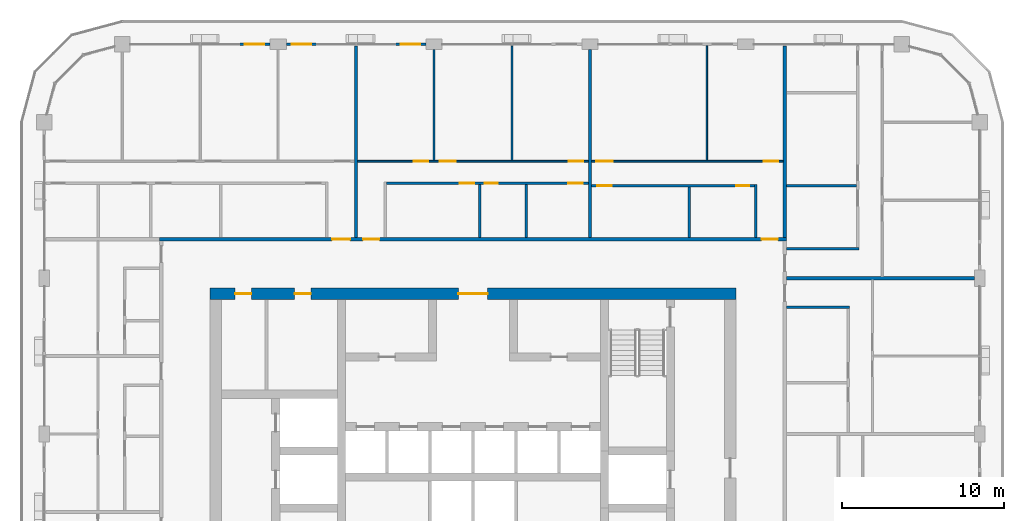
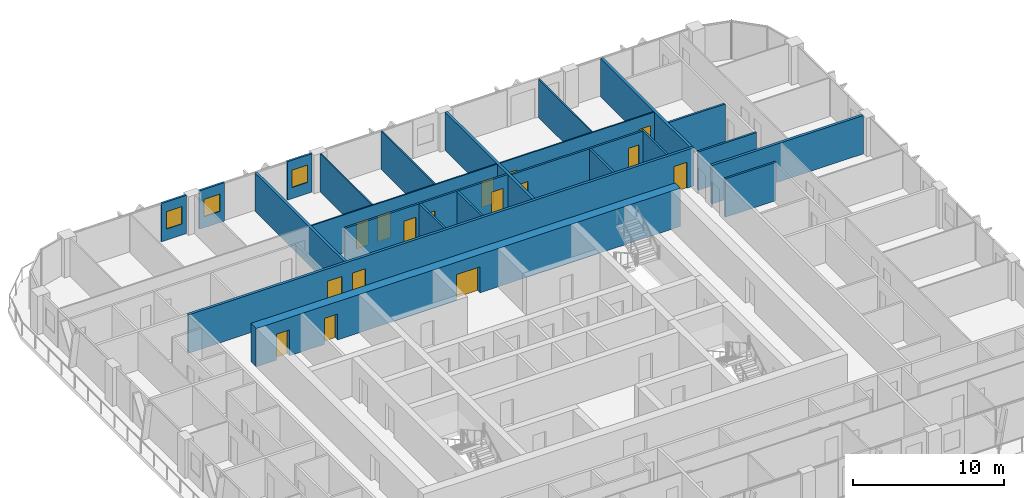
# One storey, part 14 of 22: 23 walls, 16 doors, 3 windows, 19 openings.
"""IFC4 building model written with IfcOpenShell, lengths in metres."""

from ifc_helpers import new_model, si_unit, direction, frame, frame_2d, origin, place, context, subcontext, project, spatial, rectangle, extrude, material, layer, layer_set, type_object, element, fill, save


model = new_model("IFC4")

# Units and contexts
model_context = context("Model", 3, precision=1e-05, world=origin(), true_north=direction((0.0, 1.0)))
body_context = subcontext(model_context, "Body", "Model", "MODEL_VIEW")
ifc_project = project(units=[si_unit("LENGTHUNIT", "METRE"), si_unit("AREAUNIT", "SQUARE_METRE"), si_unit("VOLUMEUNIT", "CUBIC_METRE"), si_unit("PLANEANGLEUNIT", "RADIAN"), si_unit("MASSUNIT", "GRAM", prefix="KILO")], contexts=[model_context])

# Site, building, storey
site_placement = place(None, origin())
site = spatial("IfcSite", under=ifc_project, at=site_placement, CompositionType="ELEMENT")
building_placement = place(site_placement, origin())
building = spatial("IfcBuilding", under=site, at=building_placement, Name="Madar Terraces", CompositionType="ELEMENT")
storey_placement = place(building_placement, frame((0.0, 0.0, 229.800048828125)))
storey = spatial("IfcBuildingStorey", under=building, at=storey_placement, Name="L60", CompositionType="ELEMENT", Elevation=229.800048828125)

# Wall, openings, doors
ifc_material_1 = material(Name="Concrete C60/75", Category="concrete")
ifc_layer_1 = layer(ifc_material_1, 0.699951171875)
ifc_layer_set_1 = layer_set([ifc_layer_1], Name="Concrete C60/75 (CRW4 RC wall 700)")
wall_type_1 = type_object("IfcWallType", Name="CRW4 RC wall 700", PredefinedType="SHEAR", material=ifc_layer_set_1)
wall_1_placement = place(storey_placement, frame((15.0, 37.449951171875, 0.0), z_axis=(0.0, 0.0, 1.0), x_axis=(1.0, 0.0, 0.0)))
wall_1 = element("IfcWall", 1, at=wall_1_placement, inside=storey, type_object=wall_type_1, Name="CORE OUTER WALL", PredefinedType="SHEAR", context=body_context, shape_type="SweptSolid", body=[
    extrude(rectangle(XDim=32.39990234375, YDim=0.699951171875, at=frame_2d((16.199951171875, 0.0))), origin(), (0.0, 0.0, 1.0), 3.099853515625),
])
opening_1_placement = place(wall_1_placement, frame((15.300048828125, 0.0, 0.0)))
opening_1 = element("IfcOpeningElement", 2, at=opening_1_placement, cuts=wall_1, Name="Opening KD1", PredefinedType="OPENING", context=body_context, shape_type="SweptSolid", body=[
    extrude(rectangle(XDim=1.800048828125, YDim=2.10009765625, at=frame_2d((0.89990234375, 1.050048828125))), frame((0.0, 0.35986328125, 0.0), z_axis=(0.0, -1.0, 0.0), x_axis=(1.0, 0.0, 0.0)), (0.0, 0.0, 1.0), 0.719970703125),
])
opening_2_placement = place(wall_1_placement, frame((1.544189453125, 0.0, 0.0)))
opening_2 = element("IfcOpeningElement", 3, at=opening_2_placement, cuts=wall_1, Name="Opening KD2", PredefinedType="OPENING", context=body_context, shape_type="SweptSolid", body=[
    extrude(rectangle(XDim=1.0, YDim=2.10009765625, at=frame_2d((0.5, 1.050048828125))), frame((0.0, 0.35986328125, 0.0), z_axis=(0.0, -1.0, 0.0), x_axis=(1.0, 0.0, 0.0)), (0.0, 0.0, 1.0), 0.719970703125),
])
opening_3_placement = place(wall_1_placement, frame((5.21923828125, 0.0, 0.0)))
opening_3 = element("IfcOpeningElement", 4, at=opening_3_placement, cuts=wall_1, Name="Opening KD2", PredefinedType="OPENING", context=body_context, shape_type="SweptSolid", body=[
    extrude(rectangle(XDim=1.0, YDim=2.10009765625, at=frame_2d((0.5, 1.050048828125))), frame((0.0, 0.35986328125, 0.0), z_axis=(0.0, -1.0, 0.0), x_axis=(1.0, 0.0, 0.0)), (0.0, 0.0, 1.0), 0.719970703125),
])
ifc_material_2 = material(Name="Steel door leaf", Category="steel")
door_type_1 = type_object("IfcDoorType", Name="Lobby door pair 1800 x 2100", OperationType="DOUBLE_DOOR_SINGLE_SWING", PredefinedType="DOOR", material=ifc_material_2)
door_1_placement = place(opening_1_placement, origin())
door_1 = element("IfcDoor", 5, at=door_1_placement, inside=storey, type_object=door_type_1, Name="LIFT LOBBY DOOR", OperationType="DOUBLE_DOOR_SINGLE_SWING", OverallHeight=2.10009765625, OverallWidth=1.800048828125, PredefinedType="DOOR", context=body_context, shape_type="SweptSolid", body=[
    extrude(rectangle(XDim=1.800048828125, YDim=2.10009765625, at=frame_2d((0.89990234375, 1.050048828125))), frame((0.0, 0.02490234375, 0.0), z_axis=(0.0, -1.0, 0.0), x_axis=(1.0, 0.0, 0.0)), (0.0, 0.0, 1.0), 0.050048828125),
])
fill(opening_1, door_1)
ifc_material_3 = material(Name="Steel door leaf", Category="steel")
door_type_2 = type_object("IfcDoorType", Name="Service room door 1000 x 2100", OperationType="NOTDEFINED", PredefinedType="DOOR", material=ifc_material_3)
door_2_placement = place(opening_2_placement, origin())
door_2 = element("IfcDoor", 6, at=door_2_placement, inside=storey, type_object=door_type_2, Name="SERVICE ROOM DOOR", OperationType="SINGLE_SWING_LEFT", OverallHeight=2.10009765625, OverallWidth=1.0, PredefinedType="DOOR", context=body_context, shape_type="SweptSolid", body=[
    extrude(rectangle(XDim=1.0, YDim=2.10009765625, at=frame_2d((0.5, 1.050048828125))), frame((0.0, 0.02490234375, 0.0), z_axis=(0.0, -1.0, 0.0), x_axis=(1.0, 0.0, 0.0)), (0.0, 0.0, 1.0), 0.050048828125),
])
fill(opening_2, door_2)
door_3_placement = place(opening_3_placement, origin())
door_3 = element("IfcDoor", 7, at=door_3_placement, inside=storey, type_object=door_type_2, Name="SERVICE ROOM DOOR", OperationType="SINGLE_SWING_RIGHT", OverallHeight=2.10009765625, OverallWidth=1.0, PredefinedType="DOOR", context=body_context, shape_type="SweptSolid", body=[
    extrude(rectangle(XDim=1.0, YDim=2.10009765625, at=frame_2d((0.5, 1.050048828125))), frame((0.0, 0.02490234375, 0.0), z_axis=(0.0, -1.0, 0.0), x_axis=(1.0, 0.0, 0.0)), (0.0, 0.0, 1.0), 0.050048828125),
])
fill(opening_3, door_3)

# Wall, opening, window
ifc_material_4 = material(Name="Aluminium composite panel, black, over insulated backing", Category="aluminium")
ifc_layer_2 = layer(ifc_material_4, 0.14990234375)
ifc_layer_set_2 = layer_set([ifc_layer_2], Name="Facade bay panel 150")
wall_type_2 = type_object("IfcWallType", Name="Facade bay panel 150", PredefinedType="SOLIDWALL", material=ifc_layer_set_2)
wall_2_placement = place(storey_placement, frame((28.300048828125, 52.800048828125, 0.0), z_axis=(0.0, 0.0, 1.0), x_axis=(-1.0, 0.0, 0.0)))
wall_2 = element("IfcWall", 8, at=wall_2_placement, inside=storey, type_object=wall_type_2, Name="Facade bay panel", PredefinedType="SOLIDWALL", context=body_context, shape_type="SweptSolid", body=[
    extrude(rectangle(XDim=1.900146484375, YDim=0.14990234375, at=frame_2d((0.9501953125, 0.0))), origin(), (0.0, 0.0, 1.0), 3.099853515625),
])
opening_4_placement = place(wall_2_placement, frame((0.35009765625, 0.0, 0.89990234375)))
opening_4 = element("IfcOpeningElement", 9, at=opening_4_placement, cuts=wall_2, Name="Opening W1", PredefinedType="OPENING", context=body_context, shape_type="SweptSolid", body=[
    extrude(rectangle(XDim=1.199951171875, YDim=1.39990234375, at=frame_2d((0.60009765625, 0.699951171875))), frame((0.0, 0.0849609375, 0.0), z_axis=(0.0, -1.0, 0.0), x_axis=(1.0, 0.0, 0.0)), (0.0, 0.0, 1.0), 0.169921875),
])
ifc_material_5 = material(Name="Glass, clear, with black aluminium frame", Category="aluminium")
window_type = type_object("IfcWindowType", Name="Vent window 1200 x 1400", PartitioningType="SINGLE_PANEL", PredefinedType="WINDOW", material=ifc_material_5)
window_1_placement = place(opening_4_placement, origin())
window_1 = element("IfcWindow", 10, at=window_1_placement, inside=storey, type_object=window_type, Name="Operable vent window", OverallHeight=1.39990234375, OverallWidth=1.199951171875, PartitioningType="SINGLE_PANEL", PredefinedType="WINDOW", context=body_context, shape_type="SweptSolid", body=[
    extrude(rectangle(XDim=1.199951171875, YDim=1.39990234375, at=frame_2d((0.60009765625, 0.699951171875))), frame((0.0, 0.030029296875, 0.0), z_axis=(0.0, -1.0, 0.0), x_axis=(1.0, 0.0, 0.0)), (0.0, 0.0, 1.0), 0.06005859375),
])
fill(opening_4, window_1)

wall_3_placement = place(storey_placement, frame((21.60009765625, 52.800048828125, 0.0), z_axis=(0.0, 0.0, 1.0), x_axis=(-1.0, 0.0, 0.0)))
wall_3 = element("IfcWall", 11, at=wall_3_placement, inside=storey, type_object=wall_type_2, Name="Facade bay panel", PredefinedType="SOLIDWALL", context=body_context, shape_type="SweptSolid", body=[
    extrude(rectangle(XDim=1.900146484375, YDim=0.14990234375, at=frame_2d((0.9501953125, 0.0))), origin(), (0.0, 0.0, 1.0), 3.099853515625),
])
opening_5_placement = place(wall_3_placement, frame((0.35009765625, 0.0, 0.89990234375)))
opening_5 = element("IfcOpeningElement", 12, at=opening_5_placement, cuts=wall_3, Name="Opening W1", PredefinedType="OPENING", context=body_context, shape_type="SweptSolid", body=[
    extrude(rectangle(XDim=1.199951171875, YDim=1.39990234375, at=frame_2d((0.60009765625, 0.699951171875))), frame((0.0, 0.0849609375, 0.0), z_axis=(0.0, -1.0, 0.0), x_axis=(1.0, 0.0, 0.0)), (0.0, 0.0, 1.0), 0.169921875),
])
window_2_placement = place(opening_5_placement, origin())
window_2 = element("IfcWindow", 13, at=window_2_placement, inside=storey, type_object=window_type, Name="Operable vent window", OverallHeight=1.39990234375, OverallWidth=1.199951171875, PartitioningType="SINGLE_PANEL", PredefinedType="WINDOW", context=body_context, shape_type="SweptSolid", body=[
    extrude(rectangle(XDim=1.199951171875, YDim=1.39990234375, at=frame_2d((0.60009765625, 0.699951171875))), frame((0.0, 0.030029296875, 0.0), z_axis=(0.0, -1.0, 0.0), x_axis=(1.0, 0.0, 0.0)), (0.0, 0.0, 1.0), 0.06005859375),
])
fill(opening_5, window_2)

wall_4_placement = place(storey_placement, frame((18.699951171875, 52.800048828125, 0.0), z_axis=(0.0, 0.0, 1.0), x_axis=(-1.0, 0.0, 0.0)))
wall_4 = element("IfcWall", 14, at=wall_4_placement, inside=storey, type_object=wall_type_2, Name="Facade bay panel", PredefinedType="SOLIDWALL", context=body_context, shape_type="SweptSolid", body=[
    extrude(rectangle(XDim=1.89990234375, YDim=0.14990234375, at=frame_2d((0.949951171875, 0.0))), origin(), (0.0, 0.0, 1.0), 3.099853515625),
])
opening_6_placement = place(wall_4_placement, frame((0.35009765625, 0.0, 0.89990234375)))
opening_6 = element("IfcOpeningElement", 15, at=opening_6_placement, cuts=wall_4, Name="Opening W1", PredefinedType="OPENING", context=body_context, shape_type="SweptSolid", body=[
    extrude(rectangle(XDim=1.199951171875, YDim=1.39990234375, at=frame_2d((0.60009765625, 0.699951171875))), frame((0.0, 0.0849609375, 0.0), z_axis=(0.0, -1.0, 0.0), x_axis=(1.0, 0.0, 0.0)), (0.0, 0.0, 1.0), 0.169921875),
])
window_3_placement = place(opening_6_placement, origin())
window_3 = element("IfcWindow", 16, at=window_3_placement, inside=storey, type_object=window_type, Name="Operable vent window", OverallHeight=1.39990234375, OverallWidth=1.199951171875, PartitioningType="SINGLE_PANEL", PredefinedType="WINDOW", context=body_context, shape_type="SweptSolid", body=[
    extrude(rectangle(XDim=1.199951171875, YDim=1.39990234375, at=frame_2d((0.60009765625, 0.699951171875))), frame((0.0, 0.030029296875, 0.0), z_axis=(0.0, -1.0, 0.0), x_axis=(1.0, 0.0, 0.0)), (0.0, 0.0, 1.0), 0.06005859375),
])
fill(opening_6, window_3)

# Wall
ifc_material_6 = material(Name="Gypsum board on steel studs", Category="steel")
ifc_layer_3 = layer(ifc_material_6, 0.10009765625)
ifc_layer_set_3 = layer_set([ifc_layer_3], Name="Flat partition 100")
wall_type_3 = type_object("IfcWallType", Name="Flat partition 100", PredefinedType="PARTITIONING", material=ifc_layer_set_3)
wall_5_placement = place(storey_placement, frame((45.60009765625, 45.64990234375, 0.0), z_axis=(0.0, 0.0, 1.0), x_axis=(0.0, 1.0, 0.0)))
element("IfcWall", 17, at=wall_5_placement, inside=storey, type_object=wall_type_3, Name="Flat partition 100", PredefinedType="PARTITIONING", context=body_context, shape_type="SweptSolid", body=[
    extrude(rectangle(XDim=7.050048828125, YDim=0.10009765625, at=frame_2d((3.52490234375, 0.0))), origin(), (0.0, 0.0, 1.0), 3.099853515625),
])

# Wall, openings, doors
wall_6_placement = place(storey_placement, frame((38.5, 45.60009765625, 0.0), z_axis=(0.0, 0.0, 1.0), x_axis=(1.0, 0.0, 0.0)))
wall_6 = element("IfcWall", 18, at=wall_6_placement, inside=storey, type_object=wall_type_3, Name="Flat partition 100", PredefinedType="PARTITIONING", context=body_context, shape_type="SweptSolid", body=[
    extrude(rectangle(XDim=11.800048828125, YDim=0.10009765625, at=frame_2d((5.89990234375, 0.0))), origin(), (0.0, 0.0, 1.0), 3.099853515625),
])
opening_7_placement = place(wall_6_placement, frame((10.60009765625, 0.0, 0.0)))
opening_7 = element("IfcOpeningElement", 19, at=opening_7_placement, cuts=wall_6, Name="Opening D2", PredefinedType="OPENING", context=body_context, shape_type="SweptSolid", body=[
    extrude(rectangle(XDim=0.89990234375, YDim=2.10009765625, at=frame_2d((0.449951171875, 1.050048828125))), frame((0.0, 0.06005859375, 0.0), z_axis=(0.0, -1.0, 0.0), x_axis=(1.0, 0.0, 0.0)), (0.0, 0.0, 1.0), 0.1201171875),
])
opening_8_placement = place(wall_6_placement, frame((0.300048828125, 0.0, 0.0)))
opening_8 = element("IfcOpeningElement", 20, at=opening_8_placement, cuts=wall_6, Name="Opening D3", PredefinedType="OPENING", context=body_context, shape_type="SweptSolid", body=[
    extrude(rectangle(XDim=1.0, YDim=2.10009765625, at=frame_2d((0.5, 1.050048828125))), frame((0.0, 0.06005859375, 0.0), z_axis=(0.0, -1.0, 0.0), x_axis=(1.0, 0.0, 0.0)), (0.0, 0.0, 1.0), 0.1201171875),
])
ifc_material_7 = material(Name="Timber door leaf", Category="wood")
door_type_3 = type_object("IfcDoorType", Name="Flat living room door 1000", OperationType="NOTDEFINED", PredefinedType="DOOR", material=ifc_material_7)
door_4_placement = place(opening_8_placement, origin())
door_4 = element("IfcDoor", 21, at=door_4_placement, inside=storey, type_object=door_type_3, Name="Flat living room door 1000", OperationType="SINGLE_SWING_LEFT", OverallHeight=2.10009765625, OverallWidth=1.0, PredefinedType="DOOR", context=body_context, shape_type="SweptSolid", body=[
    extrude(rectangle(XDim=1.0, YDim=2.10009765625, at=frame_2d((0.5, 1.050048828125))), frame((0.0, 0.02490234375, 0.0), z_axis=(0.0, -1.0, 0.0), x_axis=(1.0, 0.0, 0.0)), (0.0, 0.0, 1.0), 0.050048828125),
])
fill(opening_8, door_4)
ifc_material_8 = material(Name="Timber door leaf", Category="wood")
door_type_4 = type_object("IfcDoorType", Name="Flat room door 900", OperationType="NOTDEFINED", PredefinedType="DOOR", material=ifc_material_8)
door_5_placement = place(opening_7_placement, origin())
door_5 = element("IfcDoor", 22, at=door_5_placement, inside=storey, type_object=door_type_4, Name="Flat room door 900", OperationType="SINGLE_SWING_RIGHT", OverallHeight=2.10009765625, OverallWidth=0.89990234375, PredefinedType="DOOR", context=body_context, shape_type="SweptSolid", body=[
    extrude(rectangle(XDim=0.89990234375, YDim=2.10009765625, at=frame_2d((0.449951171875, 1.050048828125))), frame((0.0, 0.02490234375, 0.0), z_axis=(0.0, -1.0, 0.0), x_axis=(1.0, 0.0, 0.0)), (0.0, 0.0, 1.0), 0.050048828125),
])
fill(opening_7, door_5)

# Walls
wall_7_placement = place(storey_placement, frame((28.800048828125, 45.64990234375, 0.0), z_axis=(0.0, 0.0, 1.0), x_axis=(0.0, 1.0, 0.0)))
element("IfcWall", 23, at=wall_7_placement, inside=storey, type_object=wall_type_3, Name="Flat partition 100", PredefinedType="PARTITIONING", context=body_context, shape_type="SweptSolid", body=[
    extrude(rectangle(XDim=6.8251953125, YDim=0.10009765625, at=frame_2d((3.41259765625, 0.0))), origin(), (0.0, 0.0, 1.0), 3.099853515625),
])
wall_8_placement = place(storey_placement, frame((33.60009765625, 45.64990234375, 0.0), z_axis=(0.0, 0.0, 1.0), x_axis=(0.0, 1.0, 0.0)))
element("IfcWall", 24, at=wall_8_placement, inside=storey, type_object=wall_type_3, Name="Flat partition 100", PredefinedType="PARTITIONING", context=body_context, shape_type="SweptSolid", body=[
    extrude(rectangle(XDim=7.050048828125, YDim=0.10009765625, at=frame_2d((3.52490234375, 0.0))), origin(), (0.0, 0.0, 1.0), 3.099853515625),
])

# Wall, openings, doors
wall_9_placement = place(storey_placement, frame((24.10009765625, 45.60009765625, 0.0), z_axis=(0.0, 0.0, 1.0), x_axis=(1.0, 0.0, 0.0)))
wall_9 = element("IfcWall", 25, at=wall_9_placement, inside=storey, type_object=wall_type_3, Name="Flat partition 100", PredefinedType="PARTITIONING", context=body_context, shape_type="SweptSolid", body=[
    extrude(rectangle(XDim=14.199951171875, YDim=0.10009765625, at=frame_2d((7.10009765625, 0.0))), origin(), (0.0, 0.0, 1.0), 3.099853515625),
])
opening_9_placement = place(wall_9_placement, frame((3.449951171875, 0.0, 0.0)))
opening_9 = element("IfcOpeningElement", 26, at=opening_9_placement, cuts=wall_9, Name="Opening D2", PredefinedType="OPENING", context=body_context, shape_type="SweptSolid", body=[
    extrude(rectangle(XDim=0.89990234375, YDim=2.10009765625, at=frame_2d((0.449951171875, 1.050048828125))), frame((0.0, 0.06005859375, 0.0), z_axis=(0.0, -1.0, 0.0), x_axis=(1.0, 0.0, 0.0)), (0.0, 0.0, 1.0), 0.1201171875),
])
opening_10_placement = place(wall_9_placement, frame((5.050048828125, 0.0, 0.0)))
opening_10 = element("IfcOpeningElement", 27, at=opening_10_placement, cuts=wall_9, Name="Opening D3", PredefinedType="OPENING", context=body_context, shape_type="SweptSolid", body=[
    extrude(rectangle(XDim=1.0, YDim=2.10009765625, at=frame_2d((0.5, 1.050048828125))), frame((0.0, 0.06005859375, 0.0), z_axis=(0.0, -1.0, 0.0), x_axis=(1.0, 0.0, 0.0)), (0.0, 0.0, 1.0), 0.1201171875),
])
opening_11_placement = place(wall_9_placement, frame((13.0, 0.0, 0.0)))
opening_11 = element("IfcOpeningElement", 28, at=opening_11_placement, cuts=wall_9, Name="Opening D2", PredefinedType="OPENING", context=body_context, shape_type="SweptSolid", body=[
    extrude(rectangle(XDim=0.89990234375, YDim=2.10009765625, at=frame_2d((0.449951171875, 1.050048828125))), frame((0.0, 0.06005859375, 0.0), z_axis=(0.0, -1.0, 0.0), x_axis=(1.0, 0.0, 0.0)), (0.0, 0.0, 1.0), 0.1201171875),
])
door_6_placement = place(opening_10_placement, origin())
door_6 = element("IfcDoor", 29, at=door_6_placement, inside=storey, type_object=door_type_3, Name="Flat living room door 1000", OperationType="SINGLE_SWING_LEFT", OverallHeight=2.10009765625, OverallWidth=1.0, PredefinedType="DOOR", context=body_context, shape_type="SweptSolid", body=[
    extrude(rectangle(XDim=1.0, YDim=2.10009765625, at=frame_2d((0.5, 1.050048828125))), frame((0.0, 0.02490234375, 0.0), z_axis=(0.0, -1.0, 0.0), x_axis=(1.0, 0.0, 0.0)), (0.0, 0.0, 1.0), 0.050048828125),
])
fill(opening_10, door_6)
door_7_placement = place(opening_9_placement, origin())
door_7 = element("IfcDoor", 30, at=door_7_placement, inside=storey, type_object=door_type_4, Name="Flat room door 900", OperationType="SINGLE_SWING_RIGHT", OverallHeight=2.10009765625, OverallWidth=0.89990234375, PredefinedType="DOOR", context=body_context, shape_type="SweptSolid", body=[
    extrude(rectangle(XDim=0.89990234375, YDim=2.10009765625, at=frame_2d((0.449951171875, 1.050048828125))), frame((0.0, 0.02490234375, 0.0), z_axis=(0.0, -1.0, 0.0), x_axis=(1.0, 0.0, 0.0)), (0.0, 0.0, 1.0), 0.050048828125),
])
fill(opening_9, door_7)
door_8_placement = place(opening_11_placement, origin())
door_8 = element("IfcDoor", 31, at=door_8_placement, inside=storey, type_object=door_type_4, Name="Flat room door 900", OperationType="SINGLE_SWING_RIGHT", OverallHeight=2.10009765625, OverallWidth=0.89990234375, PredefinedType="DOOR", context=body_context, shape_type="SweptSolid", body=[
    extrude(rectangle(XDim=0.89990234375, YDim=2.10009765625, at=frame_2d((0.449951171875, 1.050048828125))), frame((0.0, 0.02490234375, 0.0), z_axis=(0.0, -1.0, 0.0), x_axis=(1.0, 0.0, 0.0)), (0.0, 0.0, 1.0), 0.050048828125),
])
fill(opening_11, door_8)

ifc_material_9 = material(Name="Lightweight blockwork", Category="masonry")
ifc_layer_4 = layer(ifc_material_9, 0.199951171875)
ifc_layer_set_4 = layer_set([ifc_layer_4], Name="Flat party and entrance wall 200")
wall_type_4 = type_object("IfcWallType", Name="Flat party and entrance wall 200", PredefinedType="PARTITIONING", material=ifc_layer_set_4)
wall_10_placement = place(storey_placement, frame((11.89990234375, 40.800048828125, 0.0), z_axis=(0.0, 0.0, 1.0), x_axis=(1.0, 0.0, 0.0)))
wall_10 = element("IfcWall", 32, at=wall_10_placement, inside=storey, type_object=wall_type_4, Name="Flat party and entrance wall 200", PredefinedType="PARTITIONING", context=body_context, shape_type="SweptSolid", body=[
    extrude(rectangle(XDim=38.60009765625, YDim=0.199951171875, at=frame_2d((19.300048828125, 0.0))), origin(), (0.0, 0.0, 1.0), 3.099853515625),
])
opening_12_placement = place(wall_10_placement, frame((37.074951171875, 0.0, 0.0)))
opening_12 = element("IfcOpeningElement", 33, at=opening_12_placement, cuts=wall_10, Name="Opening D1", PredefinedType="OPENING", context=body_context, shape_type="SweptSolid", body=[
    extrude(rectangle(XDim=1.0, YDim=2.10009765625, at=frame_2d((0.5, 1.050048828125))), frame((0.0, 0.10986328125, 0.0), z_axis=(0.0, -1.0, 0.0), x_axis=(1.0, 0.0, 0.0)), (0.0, 0.0, 1.0), 0.219970703125),
])
opening_13_placement = place(wall_10_placement, frame((12.52490234375, 0.0, 0.0)))
opening_13 = element("IfcOpeningElement", 34, at=opening_13_placement, cuts=wall_10, Name="Opening D1", PredefinedType="OPENING", context=body_context, shape_type="SweptSolid", body=[
    extrude(rectangle(XDim=1.0, YDim=2.10009765625, at=frame_2d((0.5, 1.050048828125))), frame((0.0, 0.10986328125, 0.0), z_axis=(0.0, -1.0, 0.0), x_axis=(1.0, 0.0, 0.0)), (0.0, 0.0, 1.0), 0.219970703125),
])
opening_14_placement = place(wall_10_placement, frame((10.625, 0.0, 0.0)))
opening_14 = element("IfcOpeningElement", 35, at=opening_14_placement, cuts=wall_10, Name="Opening D6", PredefinedType="OPENING", context=body_context, shape_type="SweptSolid", body=[
    extrude(rectangle(XDim=1.10009765625, YDim=2.10009765625, at=frame_2d((0.550048828125, 1.050048828125))), frame((0.0, 0.10986328125, 0.0), z_axis=(0.0, -1.0, 0.0), x_axis=(1.0, 0.0, 0.0)), (0.0, 0.0, 1.0), 0.219970703125),
])
ifc_material_10 = material(Name="Timber fire door leaf", Category="wood")
door_type_5 = type_object("IfcDoorType", Name="Flat entrance door 1000 FD30S", OperationType="NOTDEFINED", PredefinedType="DOOR", material=ifc_material_10)
door_9_placement = place(opening_12_placement, origin())
door_9 = element("IfcDoor", 36, at=door_9_placement, inside=storey, type_object=door_type_5, Name="Flat entrance door 1000 FD30S", OperationType="SINGLE_SWING_RIGHT", OverallHeight=2.10009765625, OverallWidth=1.0, PredefinedType="DOOR", context=body_context, shape_type="SweptSolid", body=[
    extrude(rectangle(XDim=1.0, YDim=2.10009765625, at=frame_2d((0.5, 1.050048828125))), frame((0.0, 0.02490234375, 0.0), z_axis=(0.0, -1.0, 0.0), x_axis=(1.0, 0.0, 0.0)), (0.0, 0.0, 1.0), 0.050048828125),
])
fill(opening_12, door_9)
door_10_placement = place(opening_13_placement, origin())
door_10 = element("IfcDoor", 37, at=door_10_placement, inside=storey, type_object=door_type_5, Name="Flat entrance door 1000 FD30S", OperationType="SINGLE_SWING_LEFT", OverallHeight=2.10009765625, OverallWidth=1.0, PredefinedType="DOOR", context=body_context, shape_type="SweptSolid", body=[
    extrude(rectangle(XDim=1.0, YDim=2.10009765625, at=frame_2d((0.5, 1.050048828125))), frame((0.0, 0.02490234375, 0.0), z_axis=(0.0, -1.0, 0.0), x_axis=(1.0, 0.0, 0.0)), (0.0, 0.0, 1.0), 0.050048828125),
])
fill(opening_13, door_10)
ifc_material_11 = material(Name="Timber fire door leaf", Category="wood")
door_type_6 = type_object("IfcDoorType", Name="Flat entrance door 1100 FD30S", OperationType="NOTDEFINED", PredefinedType="DOOR", material=ifc_material_11)
door_11_placement = place(opening_14_placement, origin())
door_11 = element("IfcDoor", 38, at=door_11_placement, inside=storey, type_object=door_type_6, Name="Flat entrance door 1100 FD30S", OperationType="SINGLE_SWING_RIGHT", OverallHeight=2.10009765625, OverallWidth=1.10009765625, PredefinedType="DOOR", context=body_context, shape_type="SweptSolid", body=[
    extrude(rectangle(XDim=1.10009765625, YDim=2.10009765625, at=frame_2d((0.550048828125, 1.050048828125))), frame((0.0, 0.02490234375, 0.0), z_axis=(0.0, -1.0, 0.0), x_axis=(1.0, 0.0, 0.0)), (0.0, 0.0, 1.0), 0.050048828125),
])
fill(opening_14, door_11)

# Walls
wall_11_placement = place(storey_placement, frame((50.5, 38.39990234375, 0.0), z_axis=(0.0, 0.0, 1.0), x_axis=(1.0, 0.0, 0.0)))
element("IfcWall", 39, at=wall_11_placement, inside=storey, type_object=wall_type_4, Name="Flat party and entrance wall 200", PredefinedType="PARTITIONING", context=body_context, shape_type="SweptSolid", body=[
    extrude(rectangle(XDim=11.574951171875, YDim=0.199951171875, at=frame_2d((5.78759765625, 0.0))), origin(), (0.0, 0.0, 1.0), 3.099853515625),
])
wall_12_placement = place(storey_placement, frame((50.39990234375, 40.89990234375, 0.0), z_axis=(0.0, 0.0, 1.0), x_axis=(0.0, 1.0, 0.0)))
element("IfcWall", 40, at=wall_12_placement, inside=storey, type_object=wall_type_4, Name="Flat party and entrance wall 200", PredefinedType="PARTITIONING", context=body_context, shape_type="SweptSolid", body=[
    extrude(rectangle(XDim=11.800048828125, YDim=0.199951171875, at=frame_2d((5.89990234375, 0.0))), origin(), (0.0, 0.0, 1.0), 3.099853515625),
])
wall_13_placement = place(storey_placement, frame((38.39990234375, 52.47509765625, 0.0), z_axis=(0.0, 0.0, 1.0), x_axis=(0.0, -1.0, 0.0)))
element("IfcWall", 41, at=wall_13_placement, inside=storey, type_object=wall_type_4, Name="Flat party and entrance wall 200", PredefinedType="PARTITIONING", context=body_context, shape_type="SweptSolid", body=[
    extrude(rectangle(XDim=11.5751953125, YDim=0.199951171875, at=frame_2d((5.78759765625, 0.0))), origin(), (0.0, 0.0, 1.0), 3.099853515625),
])
wall_14_placement = place(storey_placement, frame((24.0, 52.699951171875, 0.0), z_axis=(0.0, 0.0, 1.0), x_axis=(0.0, -1.0, 0.0)))
element("IfcWall", 42, at=wall_14_placement, inside=storey, type_object=wall_type_4, Name="Flat party and entrance wall 200", PredefinedType="PARTITIONING", context=body_context, shape_type="SweptSolid", body=[
    extrude(rectangle(XDim=11.800048828125, YDim=0.199951171875, at=frame_2d((5.89990234375, 0.0))), origin(), (0.0, 0.0, 1.0), 3.099853515625),
])
ifc_material_12 = material(Name="Lightweight blockwork", Category="masonry")
ifc_layer_5 = layer(ifc_material_12, 0.14990234375)
ifc_layer_set_5 = layer_set([ifc_layer_5], Name="Flat wet-room partition 150")
wall_type_5 = type_object("IfcWallType", Name="Flat wet-room partition 150", PredefinedType="PARTITIONING", material=ifc_layer_set_5)
wall_15_placement = place(storey_placement, frame((50.5, 36.60009765625, 0.0), z_axis=(0.0, 0.0, 1.0), x_axis=(1.0, 0.0, 0.0)))
element("IfcWall", 43, at=wall_15_placement, inside=storey, type_object=wall_type_5, Name="Flat wet-room partition 150", PredefinedType="PARTITIONING", context=body_context, shape_type="SweptSolid", body=[
    extrude(rectangle(XDim=3.875, YDim=0.14990234375, at=frame_2d((1.9375, 0.0))), origin(), (0.0, 0.0, 1.0), 3.099853515625),
])
wall_16_placement = place(storey_placement, frame((50.5, 44.09814453125, 0.0), z_axis=(0.0, 0.0, 1.0), x_axis=(1.0, 0.0, 0.0)))
element("IfcWall", 44, at=wall_16_placement, inside=storey, type_object=wall_type_5, Name="Flat wet-room partition 150", PredefinedType="PARTITIONING", context=body_context, shape_type="SweptSolid", body=[
    extrude(rectangle(XDim=4.324951171875, YDim=0.14990234375, at=frame_2d((2.16259765625, 0.0))), origin(), (0.0, 0.0, 1.0), 3.099853515625),
])
wall_17_placement = place(storey_placement, frame((50.5, 40.199951171875, 0.0), z_axis=(0.0, 0.0, 1.0), x_axis=(1.0, 0.0, 0.0)))
element("IfcWall", 45, at=wall_17_placement, inside=storey, type_object=wall_type_5, Name="Flat wet-room partition 150", PredefinedType="PARTITIONING", context=body_context, shape_type="SweptSolid", body=[
    extrude(rectangle(XDim=4.47509765625, YDim=0.14990234375, at=frame_2d((2.237548828125, 0.0))), origin(), (0.0, 0.0, 1.0), 3.099853515625),
])
wall_18_placement = place(storey_placement, frame((44.514892578125, 40.89990234375, 0.0), z_axis=(0.0, 0.0, 1.0), x_axis=(0.0, 1.0, 0.0)))
element("IfcWall", 46, at=wall_18_placement, inside=storey, type_object=wall_type_5, Name="Flat wet-room partition 150", PredefinedType="PARTITIONING", context=body_context, shape_type="SweptSolid", body=[
    extrude(rectangle(XDim=3.125, YDim=0.14990234375, at=frame_2d((1.5625, 0.0))), origin(), (0.0, 0.0, 1.0), 3.099853515625),
])
wall_19_placement = place(storey_placement, frame((48.60009765625, 40.89990234375, 0.0), z_axis=(0.0, 0.0, 1.0), x_axis=(0.0, 1.0, 0.0)))
element("IfcWall", 47, at=wall_19_placement, inside=storey, type_object=wall_type_5, Name="Flat wet-room partition 150", PredefinedType="PARTITIONING", context=body_context, shape_type="SweptSolid", body=[
    extrude(rectangle(XDim=3.275146484375, YDim=0.14990234375, at=frame_2d((1.6376953125, 0.0))), origin(), (0.0, 0.0, 1.0), 3.099853515625),
])

# Wall, openings, doors
wall_20_placement = place(storey_placement, frame((48.52490234375, 44.10009765625, 0.0), z_axis=(0.0, 0.0, 1.0), x_axis=(-1.0, 0.0, 0.0)))
wall_20 = element("IfcWall", 48, at=wall_20_placement, inside=storey, type_object=wall_type_5, Name="Flat wet-room partition 150", PredefinedType="PARTITIONING", context=body_context, shape_type="SweptSolid", body=[
    extrude(rectangle(XDim=10.02490234375, YDim=0.14990234375, at=frame_2d((5.012451171875, 0.0))), origin(), (0.0, 0.0, 1.0), 3.099853515625),
])
opening_15_placement = place(wall_20_placement, frame((0.300048828125, 0.0, 0.0)))
opening_15 = element("IfcOpeningElement", 49, at=opening_15_placement, cuts=wall_20, Name="Opening D4", PredefinedType="OPENING", context=body_context, shape_type="SweptSolid", body=[
    extrude(rectangle(XDim=0.800048828125, YDim=2.10009765625, at=frame_2d((0.39990234375, 1.050048828125))), frame((0.0, 0.0849609375, 0.0), z_axis=(0.0, -1.0, 0.0), x_axis=(1.0, 0.0, 0.0)), (0.0, 0.0, 1.0), 0.169921875),
])
opening_16_placement = place(wall_20_placement, frame((8.77490234375, 0.0, 0.0)))
opening_16 = element("IfcOpeningElement", 50, at=opening_16_placement, cuts=wall_20, Name="Opening D2", PredefinedType="OPENING", context=body_context, shape_type="SweptSolid", body=[
    extrude(rectangle(XDim=0.89990234375, YDim=2.10009765625, at=frame_2d((0.449951171875, 1.050048828125))), frame((0.0, 0.0849609375, 0.0), z_axis=(0.0, -1.0, 0.0), x_axis=(1.0, 0.0, 0.0)), (0.0, 0.0, 1.0), 0.169921875),
])
ifc_material_13 = material(Name="Timber door leaf", Category="wood")
door_type_7 = type_object("IfcDoorType", Name="Flat bathroom door 800", OperationType="NOTDEFINED", PredefinedType="DOOR", material=ifc_material_13)
door_12_placement = place(opening_15_placement, origin())
door_12 = element("IfcDoor", 51, at=door_12_placement, inside=storey, type_object=door_type_7, Name="Flat bathroom door 800", OperationType="SINGLE_SWING_LEFT", OverallHeight=2.10009765625, OverallWidth=0.800048828125, PredefinedType="DOOR", context=body_context, shape_type="SweptSolid", body=[
    extrude(rectangle(XDim=0.800048828125, YDim=2.10009765625, at=frame_2d((0.39990234375, 1.050048828125))), frame((0.0, 0.02490234375, 0.0), z_axis=(0.0, -1.0, 0.0), x_axis=(1.0, 0.0, 0.0)), (0.0, 0.0, 1.0), 0.050048828125),
])
fill(opening_15, door_12)
door_13_placement = place(opening_16_placement, origin())
door_13 = element("IfcDoor", 52, at=door_13_placement, inside=storey, type_object=door_type_4, Name="Flat room door 900", OperationType="SINGLE_SWING_RIGHT", OverallHeight=2.10009765625, OverallWidth=0.89990234375, PredefinedType="DOOR", context=body_context, shape_type="SweptSolid", body=[
    extrude(rectangle(XDim=0.89990234375, YDim=2.10009765625, at=frame_2d((0.449951171875, 1.050048828125))), frame((0.0, 0.02490234375, 0.0), z_axis=(0.0, -1.0, 0.0), x_axis=(1.0, 0.0, 0.0)), (0.0, 0.0, 1.0), 0.050048828125),
])
fill(opening_16, door_13)

# Walls
for number, where, z_axis, x_axis, name in (
    (53, (31.609619140625, 40.89990234375, 0.0), (0.0, 0.0, 1.0), (0.0, 1.0, 0.0), "Flat wet-room partition 150"),
    (54, (34.476806640625, 40.89990234375, 0.0), (0.0, 0.0, 1.0), (0.0, 1.0, 0.0), "Flat wet-room partition 150"),
):
    element("IfcWall", number, at=place(storey_placement, frame(where, z_axis=z_axis, x_axis=x_axis)), inside=storey, type_object=wall_type_5, Name=name, PredefinedType="PARTITIONING", context=body_context, shape_type="SweptSolid", body=[
        extrude(rectangle(XDim=3.275146484375, YDim=0.14990234375, at=frame_2d((1.6376953125, 0.0))), origin(), (0.0, 0.0, 1.0), 3.099853515625),
    ])

# Wall, openings, doors
wall_21_placement = place(storey_placement, frame((38.300048828125, 44.25, 0.0), z_axis=(0.0, 0.0, 1.0), x_axis=(-1.0, 0.0, 0.0)))
wall_21 = element("IfcWall", 55, at=wall_21_placement, inside=storey, type_object=wall_type_5, Name="Flat wet-room partition 150", PredefinedType="PARTITIONING", context=body_context, shape_type="SweptSolid", body=[
    extrude(rectangle(XDim=12.425048828125, YDim=0.14990234375, at=frame_2d((6.21240234375, 0.0))), origin(), (0.0, 0.0, 1.0), 3.099853515625),
])
opening_17_placement = place(wall_21_placement, frame((7.015380859375, 0.0, 0.0)))
opening_17 = element("IfcOpeningElement", 56, at=opening_17_placement, cuts=wall_21, Name="Opening D2", PredefinedType="OPENING", context=body_context, shape_type="SweptSolid", body=[
    extrude(rectangle(XDim=0.89990234375, YDim=2.10009765625, at=frame_2d((0.449951171875, 1.050048828125))), frame((0.0, 0.0849609375, 0.0), z_axis=(0.0, -1.0, 0.0), x_axis=(1.0, 0.0, 0.0)), (0.0, 0.0, 1.0), 0.169921875),
])
opening_18_placement = place(wall_21_placement, frame((5.5654296875, 0.0, 0.0)))
opening_18 = element("IfcOpeningElement", 57, at=opening_18_placement, cuts=wall_21, Name="Opening D4", PredefinedType="OPENING", context=body_context, shape_type="SweptSolid", body=[
    extrude(rectangle(XDim=0.800048828125, YDim=2.10009765625, at=frame_2d((0.39990234375, 1.050048828125))), frame((0.0, 0.0849609375, 0.0), z_axis=(0.0, -1.0, 0.0), x_axis=(1.0, 0.0, 0.0)), (0.0, 0.0, 1.0), 0.169921875),
])
opening_19_placement = place(wall_21_placement, frame((0.35009765625, 0.0, 0.0)))
opening_19 = element("IfcOpeningElement", 58, at=opening_19_placement, cuts=wall_21, Name="Opening D5", PredefinedType="OPENING", context=body_context, shape_type="SweptSolid", body=[
    extrude(rectangle(XDim=0.89990234375, YDim=2.10009765625, at=frame_2d((0.449951171875, 1.050048828125))), frame((0.0, 0.0849609375, 0.0), z_axis=(0.0, -1.0, 0.0), x_axis=(1.0, 0.0, 0.0)), (0.0, 0.0, 1.0), 0.169921875),
])
ifc_material_14 = material(Name="Timber door leaf", Category="wood")
door_type_8 = type_object("IfcDoorType", Name="Flat accessible bathroom door 900", OperationType="NOTDEFINED", PredefinedType="DOOR", material=ifc_material_14)
door_14_placement = place(opening_19_placement, origin())
door_14 = element("IfcDoor", 59, at=door_14_placement, inside=storey, type_object=door_type_8, Name="Flat accessible bathroom door 900", OperationType="SINGLE_SWING_LEFT", OverallHeight=2.10009765625, OverallWidth=0.89990234375, PredefinedType="DOOR", context=body_context, shape_type="SweptSolid", body=[
    extrude(rectangle(XDim=0.89990234375, YDim=2.10009765625, at=frame_2d((0.449951171875, 1.050048828125))), frame((0.0, 0.02490234375, 0.0), z_axis=(0.0, -1.0, 0.0), x_axis=(1.0, 0.0, 0.0)), (0.0, 0.0, 1.0), 0.050048828125),
])
fill(opening_19, door_14)
door_15_placement = place(opening_18_placement, origin())
door_15 = element("IfcDoor", 60, at=door_15_placement, inside=storey, type_object=door_type_7, Name="Flat bathroom door 800", OperationType="SINGLE_SWING_RIGHT", OverallHeight=2.10009765625, OverallWidth=0.800048828125, PredefinedType="DOOR", context=body_context, shape_type="SweptSolid", body=[
    extrude(rectangle(XDim=0.800048828125, YDim=2.10009765625, at=frame_2d((0.39990234375, 1.050048828125))), frame((0.0, 0.02490234375, 0.0), z_axis=(0.0, -1.0, 0.0), x_axis=(1.0, 0.0, 0.0)), (0.0, 0.0, 1.0), 0.050048828125),
])
fill(opening_18, door_15)
door_16_placement = place(opening_17_placement, origin())
door_16 = element("IfcDoor", 61, at=door_16_placement, inside=storey, type_object=door_type_4, Name="Flat room door 900", OperationType="SINGLE_SWING_LEFT", OverallHeight=2.10009765625, OverallWidth=0.89990234375, PredefinedType="DOOR", context=body_context, shape_type="SweptSolid", body=[
    extrude(rectangle(XDim=0.89990234375, YDim=2.10009765625, at=frame_2d((0.449951171875, 1.050048828125))), frame((0.0, 0.02490234375, 0.0), z_axis=(0.0, -1.0, 0.0), x_axis=(1.0, 0.0, 0.0)), (0.0, 0.0, 1.0), 0.050048828125),
])
fill(opening_17, door_16)

save(model, "model.ifc")
